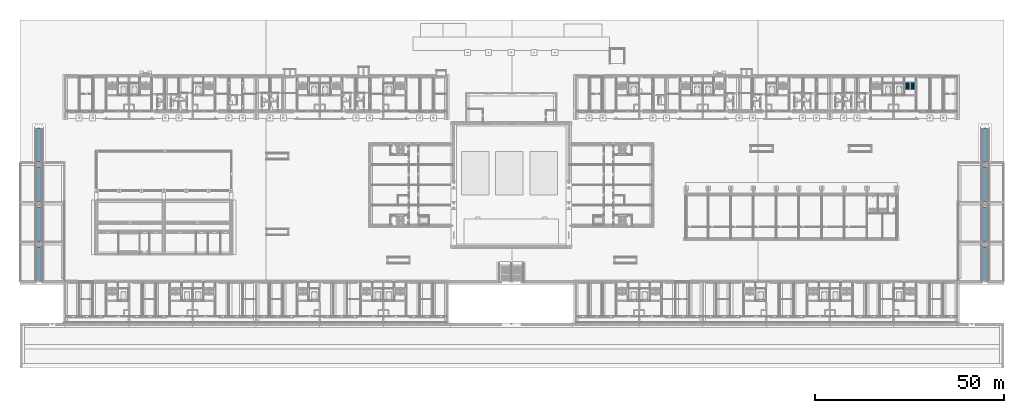
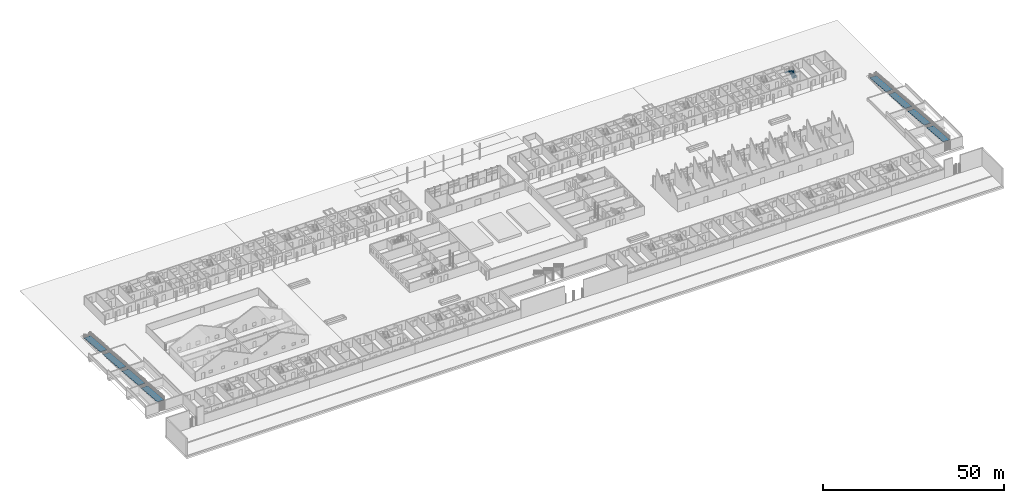
# One storey, part 74 of 112: 8 ramp flights, 2 stair flights, 3 elements without a shape of their own.
"""IFC4 building model written with IfcOpenShell, lengths in metres."""

from ifc_helpers import new_model, si_unit, direction, frame, origin, place, context, subcontext, project, spatial, polyline, outline, extrude, material, type_object, element, aggregate, save


model = new_model("IFC4")

# Units and contexts
model_context = context("Model", 3, precision=1e-05, world=origin(), true_north=direction((0.0, 1.0)))
body_context = subcontext(model_context, "Body", "Model", "MODEL_VIEW")
ifc_project = project(units=[si_unit("LENGTHUNIT", "METRE"), si_unit("AREAUNIT", "SQUARE_METRE"), si_unit("VOLUMEUNIT", "CUBIC_METRE"), si_unit("PLANEANGLEUNIT", "RADIAN"), si_unit("MASSUNIT", "GRAM", prefix="KILO")], contexts=[model_context])

# Site, building, storey
site_placement = place(None, origin())
site = spatial("IfcSite", under=ifc_project, at=site_placement, CompositionType="ELEMENT")
building_placement = place(site_placement, origin())
building = spatial("IfcBuilding", under=site, at=building_placement, Name="Ridgestep Commons", CompositionType="ELEMENT")
storey_placement = place(building_placement, origin())
storey = spatial("IfcBuildingStorey", under=building, at=storey_placement, Name="L00", CompositionType="ELEMENT", Elevation=0.0)

# Stair, stair flights
ifc_material_1 = material(Name="Precast concrete C40/50", Category="concrete")
stair_type = type_object("IfcStairType", Name="Escape stair 1400", PredefinedType="HALF_TURN_STAIR", material=ifc_material_1)
stair_placement = place(storey_placement, origin())
stair = element("IfcStair", 1, at=stair_placement, inside=storey, type_object=stair_type, Name="L00 Escape stair C6C", PredefinedType="HALF_TURN_STAIR")
ifc_material_2 = material(Name="Precast concrete C40/50", Category="concrete")
stair_flight_type = type_object("IfcStairFlightType", Name="Stair flight 1400", PredefinedType="STRAIGHT", material=ifc_material_2)
stair_flight_1_placement = place(storey_placement, frame((235.97509765625, 73.60009765625, 0.0), z_axis=(0.0, 0.0, 1.0), x_axis=(0.0, 1.0, 0.0)))
stair_flight_1 = element("IfcStairFlight", 2, at=stair_flight_1_placement, type_object=stair_flight_type, Name="C6C flight 1", NumberOfRisers=8, NumberOfTreads=7, PredefinedType="STRAIGHT", RiserHeight=0.1875, TreadLength=0.28, context=body_context, shape_type="SweptSolid", body=[
    extrude(outline(polyline([(0.0, 0.0), (0.0, 0.1875), (0.280029296875, 0.1875), (0.280029296875, 0.375), (0.56005859375, 0.375), (0.56005859375, 0.5625), (0.840087890625, 0.5625), (0.840087890625, 0.75), (1.1201171875, 0.75), (1.1201171875, 0.9375), (1.39990234375, 0.9375), (1.39990234375, 1.125), (1.679931640625, 1.125), (1.679931640625, 1.3125), (1.9599609375, 1.3125), (1.9599609375, 1.5), (1.9599609375, 1.132080078125), (0.26953125, 0.0), (0.0, 0.0)])), frame((0.0, 0.699951171875, 0.0), z_axis=(0.0, -1.0, 0.0), x_axis=(1.0, 0.0, 0.0)), (0.0, 0.0, 1.0), 0.695068359375),
    extrude(outline(polyline([(0.0, 0.0), (0.0, 0.1875), (0.280029296875, 0.1875), (0.280029296875, 0.375), (0.56005859375, 0.375), (0.56005859375, 0.5625), (0.840087890625, 0.5625), (0.840087890625, 0.75), (1.1201171875, 0.75), (1.1201171875, 0.9375), (1.39990234375, 0.9375), (1.39990234375, 1.125), (1.679931640625, 1.125), (1.679931640625, 1.3125), (1.9599609375, 1.3125), (1.9599609375, 1.5), (1.9599609375, 1.132080078125), (0.26953125, 0.0), (0.0, 0.0)])), frame((0.0, -0.0048828125, 0.0), z_axis=(0.0, -1.0, 0.0), x_axis=(1.0, 0.0, 0.0)), (0.0, 0.0, 1.0), 0.695068359375),
])
stair_flight_2_placement = place(storey_placement, frame((234.47509765625, 75.56005859375, 1.5), z_axis=(0.0, 0.0, 1.0), x_axis=(0.0, -1.0, 0.0)))
stair_flight_2 = element("IfcStairFlight", 3, at=stair_flight_2_placement, type_object=stair_flight_type, Name="C6C flight 2", NumberOfRisers=8, NumberOfTreads=7, PredefinedType="STRAIGHT", RiserHeight=0.1875, TreadLength=0.28, context=body_context, shape_type="SweptSolid", body=[
    extrude(outline(polyline([(0.0, 0.0), (0.0, 0.1875), (0.280029296875, 0.1875), (0.280029296875, 0.375), (0.56005859375, 0.375), (0.56005859375, 0.5625), (0.840087890625, 0.5625), (0.840087890625, 0.75), (1.1201171875, 0.75), (1.1201171875, 0.9375), (1.39990234375, 0.9375), (1.39990234375, 1.125), (1.679931640625, 1.125), (1.679931640625, 1.3125), (1.9599609375, 1.3125), (1.9599609375, 1.5), (1.9599609375, 1.132080078125), (0.26953125, 0.0), (0.0, 0.0)])), frame((0.0, 0.699951171875, 0.0), z_axis=(0.0, -1.0, 0.0), x_axis=(1.0, 0.0, 0.0)), (0.0, 0.0, 1.0), 0.695068359375),
    extrude(outline(polyline([(0.0, 0.0), (0.0, 0.1875), (0.280029296875, 0.1875), (0.280029296875, 0.375), (0.56005859375, 0.375), (0.56005859375, 0.5625), (0.840087890625, 0.5625), (0.840087890625, 0.75), (1.1201171875, 0.75), (1.1201171875, 0.9375), (1.39990234375, 0.9375), (1.39990234375, 1.125), (1.679931640625, 1.125), (1.679931640625, 1.3125), (1.9599609375, 1.3125), (1.9599609375, 1.5), (1.9599609375, 1.132080078125), (0.26953125, 0.0), (0.0, 0.0)])), frame((0.0, -0.0048828125, 0.0), z_axis=(0.0, -1.0, 0.0), x_axis=(1.0, 0.0, 0.0)), (0.0, 0.0, 1.0), 0.695068359375),
])
aggregate(stair, [stair_flight_1, stair_flight_2])

# Ramp, ramp flights
ramp_1_placement = place(storey_placement, origin())
ramp_1 = element("IfcRamp", 4, at=ramp_1_placement, inside=storey, Name="Accessible ramp", PredefinedType="STRAIGHT_RUN_RAMP")
ramp_flight_1_placement = place(storey_placement, frame((3.949951171875, 63.5, 0.0), z_axis=(0.0, 0.083045479854, 0.996545758245), x_axis=(1.0, 0.0, 0.0)))
ramp_flight_1 = element("IfcRampFlight", 5, at=ramp_flight_1_placement, Name="Ramp flight", PredefinedType="STRAIGHT", context=body_context, shape_type="SweptSolid", body=[
    extrude(outline(polyline([(0.0, 0.0), (2.10009765625, 0.0), (2.10009765625, -9.031195934094223), (0.0, -9.031195934094223), (0.0, 0.0)])), origin(), (0.0, 0.0, -1.0), 0.14990234375),
])
ramp_flight_2_placement = place(storey_placement, frame((3.949951171875, 53.0, 0.75), z_axis=(0.0, 0.083045479854, 0.996545758245), x_axis=(1.0, 0.0, 0.0)))
ramp_flight_2 = element("IfcRampFlight", 6, at=ramp_flight_2_placement, Name="Ramp flight", PredefinedType="STRAIGHT", context=body_context, shape_type="SweptSolid", body=[
    extrude(outline(polyline([(0.0, 0.0), (2.10009765625, 0.0), (2.10009765625, -9.031195934094223), (0.0, -9.031195934094223), (0.0, 0.0)])), origin(), (0.0, 0.0, -1.0), 0.14990234375),
])
ramp_flight_3_placement = place(storey_placement, frame((3.949951171875, 42.5, 1.5), z_axis=(0.0, 0.083045479854, 0.996545758245), x_axis=(1.0, 0.0, 0.0)))
ramp_flight_3 = element("IfcRampFlight", 7, at=ramp_flight_3_placement, Name="Ramp flight", PredefinedType="STRAIGHT", context=body_context, shape_type="SweptSolid", body=[
    extrude(outline(polyline([(0.0, 0.0), (2.10009765625, 0.0), (2.10009765625, -9.031195934094223), (0.0, -9.031195934094223), (0.0, 0.0)])), origin(), (0.0, 0.0, -1.0), 0.14990234375),
])
ramp_flight_4_placement = place(storey_placement, frame((3.949951171875, 32.0, 2.25), z_axis=(0.0, 0.083045479854, 0.996545758245), x_axis=(1.0, 0.0, 0.0)))
ramp_flight_4 = element("IfcRampFlight", 8, at=ramp_flight_4_placement, Name="Ramp flight", PredefinedType="STRAIGHT", context=body_context, shape_type="SweptSolid", body=[
    extrude(outline(polyline([(0.0, 0.0), (2.10009765625, 0.0), (2.10009765625, -9.031195934094223), (0.0, -9.031195934094223), (0.0, 0.0)])), origin(), (0.0, 0.0, -1.0), 0.14990234375),
])
aggregate(ramp_1, [ramp_flight_1, ramp_flight_2, ramp_flight_3, ramp_flight_4])

ramp_2_placement = place(storey_placement, origin())
ramp_2 = element("IfcRamp", 9, at=ramp_2_placement, inside=storey, Name="Accessible ramp", PredefinedType="STRAIGHT_RUN_RAMP")
ramp_flight_5_placement = place(storey_placement, frame((253.949951171875, 63.5, 0.0), z_axis=(0.0, 0.083045479854, 0.996545758245), x_axis=(1.0, 0.0, 0.0)))
ramp_flight_5 = element("IfcRampFlight", 10, at=ramp_flight_5_placement, Name="Ramp flight", PredefinedType="STRAIGHT", context=body_context, shape_type="SweptSolid", body=[
    extrude(outline(polyline([(0.0, 0.0), (2.10009765625, 0.0), (2.10009765625, -9.031195934094223), (0.0, -9.031195934094223), (0.0, 0.0)])), origin(), (0.0, 0.0, -1.0), 0.14990234375),
])
ramp_flight_6_placement = place(storey_placement, frame((253.949951171875, 53.0, 0.75), z_axis=(0.0, 0.083045479854, 0.996545758245), x_axis=(1.0, 0.0, 0.0)))
ramp_flight_6 = element("IfcRampFlight", 11, at=ramp_flight_6_placement, Name="Ramp flight", PredefinedType="STRAIGHT", context=body_context, shape_type="SweptSolid", body=[
    extrude(outline(polyline([(0.0, 0.0), (2.10009765625, 0.0), (2.10009765625, -9.031195934094223), (0.0, -9.031195934094223), (0.0, 0.0)])), origin(), (0.0, 0.0, -1.0), 0.14990234375),
])
ramp_flight_7_placement = place(storey_placement, frame((253.949951171875, 42.5, 1.5), z_axis=(0.0, 0.083045479854, 0.996545758245), x_axis=(1.0, 0.0, 0.0)))
ramp_flight_7 = element("IfcRampFlight", 12, at=ramp_flight_7_placement, Name="Ramp flight", PredefinedType="STRAIGHT", context=body_context, shape_type="SweptSolid", body=[
    extrude(outline(polyline([(0.0, 0.0), (2.10009765625, 0.0), (2.10009765625, -9.031195934094223), (0.0, -9.031195934094223), (0.0, 0.0)])), origin(), (0.0, 0.0, -1.0), 0.14990234375),
])
ramp_flight_8_placement = place(storey_placement, frame((253.949951171875, 32.0, 2.25), z_axis=(0.0, 0.083045479854, 0.996545758245), x_axis=(1.0, 0.0, 0.0)))
ramp_flight_8 = element("IfcRampFlight", 13, at=ramp_flight_8_placement, Name="Ramp flight", PredefinedType="STRAIGHT", context=body_context, shape_type="SweptSolid", body=[
    extrude(outline(polyline([(0.0, 0.0), (2.10009765625, 0.0), (2.10009765625, -9.031195934094223), (0.0, -9.031195934094223), (0.0, 0.0)])), origin(), (0.0, 0.0, -1.0), 0.14990234375),
])
aggregate(ramp_2, [ramp_flight_5, ramp_flight_6, ramp_flight_7, ramp_flight_8])

save(model, "model.ifc")
